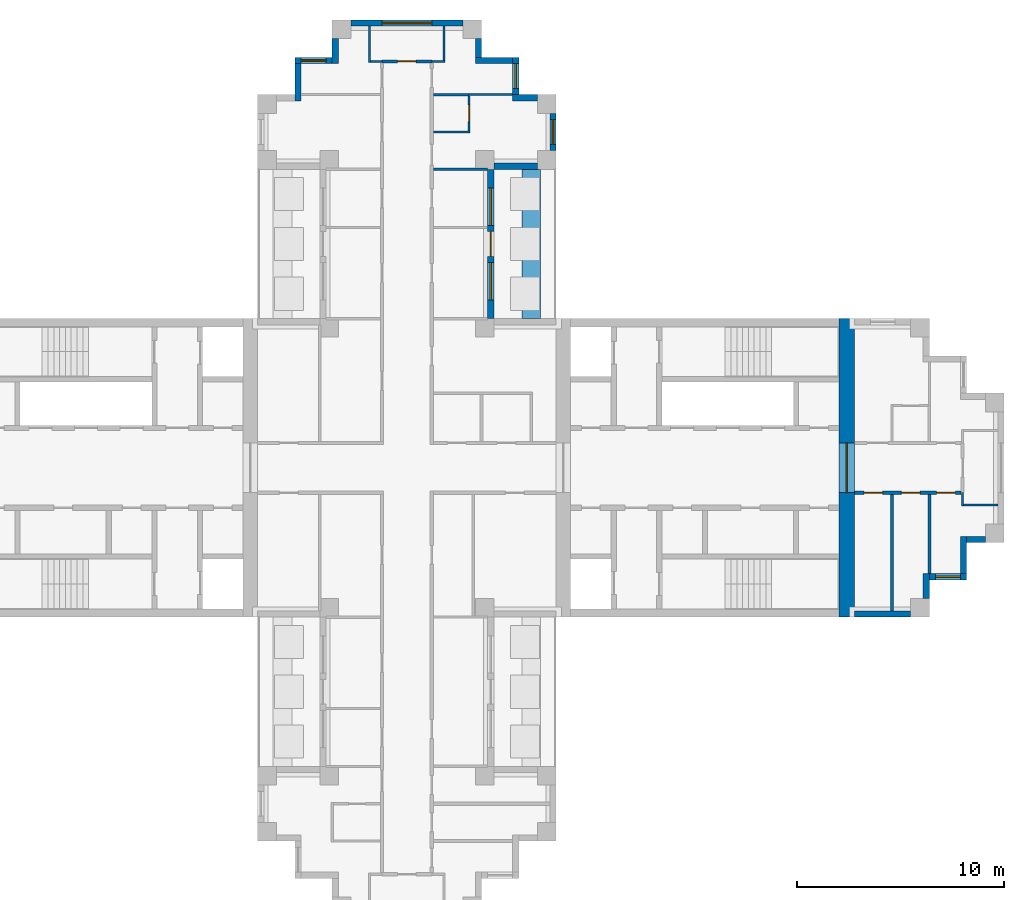
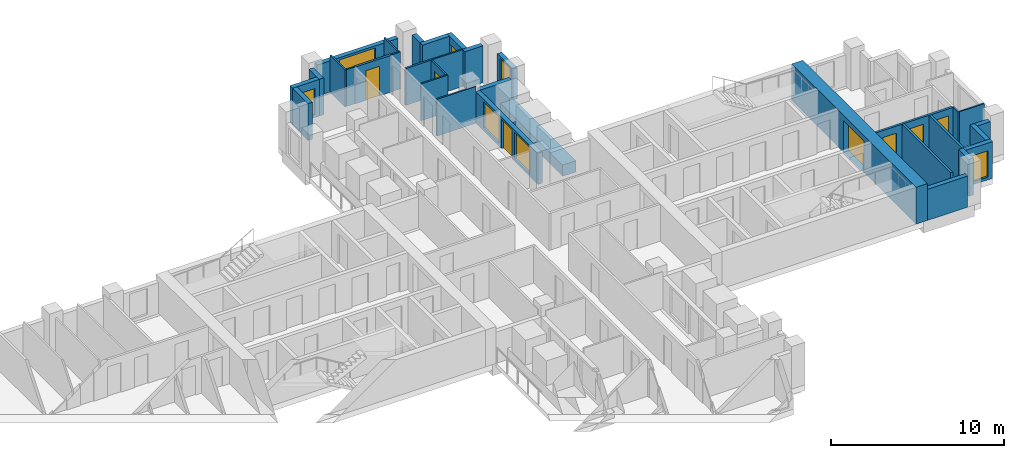
# One storey, part 7 of 10: 33 walls, 7 doors, 7 windows, 14 openings.
"""IFC4 building model written with IfcOpenShell, lengths in metres."""

from ifc_helpers import new_model, si_unit, direction, frame, frame_2d, origin, place, context, subcontext, project, spatial, rectangle, extrude, material, layer, layer_set, type_object, element, fill, save


model = new_model("IFC4")

# Units and contexts
model_context = context("Model", 3, precision=1e-05, world=origin(), true_north=direction((0.0, 1.0)))
body_context = subcontext(model_context, "Body", "Model", "MODEL_VIEW")
ifc_project = project(units=[si_unit("LENGTHUNIT", "METRE"), si_unit("AREAUNIT", "SQUARE_METRE"), si_unit("VOLUMEUNIT", "CUBIC_METRE"), si_unit("PLANEANGLEUNIT", "RADIAN"), si_unit("MASSUNIT", "GRAM", prefix="KILO")], contexts=[model_context])

# Site, building, storey
site_placement = place(None, origin())
site = spatial("IfcSite", under=ifc_project, at=site_placement, CompositionType="ELEMENT")
building_placement = place(site_placement, origin())
building = spatial("IfcBuilding", under=site, at=building_placement, Name="Fustian Cross Tower", CompositionType="ELEMENT")
storey_placement = place(building_placement, frame((0.0, 0.0, 182.699951171875)))
storey = spatial("IfcBuildingStorey", under=building, at=storey_placement, Name="L57", CompositionType="ELEMENT", Elevation=182.699951171875)

# Wall, opening, door
ifc_material_1 = material(Name="Plasterboard on steel stud", Category="steel")
ifc_layer_1 = layer(ifc_material_1, 0.14990234375)
ifc_layer_set_1 = layer_set([ifc_layer_1], Name="Plasterboard on steel stud")
wall_type_1 = type_object("IfcWallType", Name="COMPARTMENT WALL 150 EI 60", PredefinedType="PARTITIONING", material=ifc_layer_set_1)
wall_1_placement = place(storey_placement, frame((-1.199951171875, 19.60009765625, 0.0), z_axis=(0.0, 0.0, 1.0), x_axis=(1.0, 0.0, 0.0)))
wall_1 = element("IfcWall", 1, at=wall_1_placement, inside=storey, type_object=wall_type_1, Name="Partition 34", PredefinedType="PARTITIONING", context=body_context, shape_type="SweptSolid", body=[
    extrude(rectangle(XDim=2.39990234375, YDim=0.14990234375, at=frame_2d((1.199951171875, 0.0))), origin(), (0.0, 0.0, 1.0), 2.60009765625),
])
opening_1_placement = place(wall_1_placement, frame((0.75, 0.0, 0.0)))
opening_1 = element("IfcOpeningElement", 2, at=opening_1_placement, cuts=wall_1, Name="Opening D26017", PredefinedType="OPENING", context=body_context, shape_type="SweptSolid", body=[
    extrude(rectangle(XDim=0.89990234375, YDim=2.10009765625, at=frame_2d((0.449951171875, 1.050048828125))), frame((0.0, 0.0849609375, 0.0), z_axis=(0.0, -1.0, 0.0), x_axis=(1.0, 0.0, 0.0)), (0.0, 0.0, 1.0), 0.169921875),
])
ifc_material_2 = material(Name="Timber fire door set", Category="wood")
door_type_1 = type_object("IfcDoorType", Name="FIRE SWING DOOR 900 FD30S", OperationType="SINGLE_SWING_LEFT", PredefinedType="DOOR", material=ifc_material_2)
door_1_placement = place(opening_1_placement, origin())
door_1 = element("IfcDoor", 3, at=door_1_placement, inside=storey, type_object=door_type_1, Name="Door D26017", OperationType="SINGLE_SWING_LEFT", OverallHeight=2.10009765625, OverallWidth=0.89990234375, PredefinedType="DOOR", context=body_context, shape_type="SweptSolid", body=[
    extrude(rectangle(XDim=0.89990234375, YDim=2.10009765625, at=frame_2d((0.449951171875, 1.050048828125))), frame((0.0, 0.02490234375, 0.0), z_axis=(0.0, -1.0, 0.0), x_axis=(1.0, 0.0, 0.0)), (0.0, 0.0, 1.0), 0.050048828125),
])
fill(opening_1, door_1)

# Wall, openings, doors
wall_2_placement = place(storey_placement, frame((21.60009765625, -1.199951171875, 0.0), z_axis=(0.0, 0.0, 1.0), x_axis=(1.0, 0.0, 0.0)))
wall_2 = element("IfcWall", 4, at=wall_2_placement, inside=storey, type_object=wall_type_1, Name="Partition 58", PredefinedType="PARTITIONING", context=body_context, shape_type="SweptSolid", body=[
    extrude(rectangle(XDim=5.125, YDim=0.14990234375, at=frame_2d((2.5625, 0.0))), origin(), (0.0, 0.0, 1.0), 2.60009765625),
])
opening_2_placement = place(wall_2_placement, frame((0.449951171875, 0.0, 0.0)))
opening_2 = element("IfcOpeningElement", 5, at=opening_2_placement, cuts=wall_2, Name="Opening D26014", PredefinedType="OPENING", context=body_context, shape_type="SweptSolid", body=[
    extrude(rectangle(XDim=0.89990234375, YDim=2.10009765625, at=frame_2d((0.449951171875, 1.050048828125))), frame((0.0, 0.0849609375, 0.0), z_axis=(0.0, -1.0, 0.0), x_axis=(1.0, 0.0, 0.0)), (0.0, 0.0, 1.0), 0.169921875),
])
opening_3_placement = place(wall_2_placement, frame((2.25, 0.0, 0.0)))
opening_3 = element("IfcOpeningElement", 6, at=opening_3_placement, cuts=wall_2, Name="Opening D26015", PredefinedType="OPENING", context=body_context, shape_type="SweptSolid", body=[
    extrude(rectangle(XDim=0.89990234375, YDim=2.10009765625, at=frame_2d((0.449951171875, 1.050048828125))), frame((0.0, 0.0849609375, 0.0), z_axis=(0.0, -1.0, 0.0), x_axis=(1.0, 0.0, 0.0)), (0.0, 0.0, 1.0), 0.169921875),
])
opening_4_placement = place(wall_2_placement, frame((3.949951171875, 0.0, 0.0)))
opening_4 = element("IfcOpeningElement", 7, at=opening_4_placement, cuts=wall_2, Name="Opening D26016", PredefinedType="OPENING", context=body_context, shape_type="SweptSolid", body=[
    extrude(rectangle(XDim=0.89990234375, YDim=2.10009765625, at=frame_2d((0.449951171875, 1.050048828125))), frame((0.0, 0.0849609375, 0.0), z_axis=(0.0, -1.0, 0.0), x_axis=(1.0, 0.0, 0.0)), (0.0, 0.0, 1.0), 0.169921875),
])
door_2_placement = place(opening_2_placement, frame((0.89990234375, 0.0, 0.0), z_axis=(0.0, 0.0, 1.0), x_axis=(-1.0, 0.0, 0.0)))
door_2 = element("IfcDoor", 8, at=door_2_placement, inside=storey, type_object=door_type_1, Name="Door D26014", OperationType="SINGLE_SWING_LEFT", OverallHeight=2.10009765625, OverallWidth=0.89990234375, PredefinedType="DOOR", context=body_context, shape_type="SweptSolid", body=[
    extrude(rectangle(XDim=0.89990234375, YDim=2.10009765625, at=frame_2d((0.449951171875, 1.050048828125))), frame((0.0, 0.02490234375, 0.0), z_axis=(0.0, -1.0, 0.0), x_axis=(1.0, 0.0, 0.0)), (0.0, 0.0, 1.0), 0.050048828125),
])
fill(opening_2, door_2)
door_3_placement = place(opening_3_placement, frame((0.89990234375, 0.0, 0.0), z_axis=(0.0, 0.0, 1.0), x_axis=(-1.0, 0.0, 0.0)))
door_3 = element("IfcDoor", 9, at=door_3_placement, inside=storey, type_object=door_type_1, Name="Door D26015", OperationType="SINGLE_SWING_LEFT", OverallHeight=2.10009765625, OverallWidth=0.89990234375, PredefinedType="DOOR", context=body_context, shape_type="SweptSolid", body=[
    extrude(rectangle(XDim=0.89990234375, YDim=2.10009765625, at=frame_2d((0.449951171875, 1.050048828125))), frame((0.0, 0.02490234375, 0.0), z_axis=(0.0, -1.0, 0.0), x_axis=(1.0, 0.0, 0.0)), (0.0, 0.0, 1.0), 0.050048828125),
])
fill(opening_3, door_3)
door_4_placement = place(opening_4_placement, frame((0.89990234375, 0.0, 0.0), z_axis=(0.0, 0.0, 1.0), x_axis=(-1.0, 0.0, 0.0)))
door_4 = element("IfcDoor", 10, at=door_4_placement, inside=storey, type_object=door_type_1, Name="Door D26016", OperationType="SINGLE_SWING_RIGHT", OverallHeight=2.10009765625, OverallWidth=0.89990234375, PredefinedType="DOOR", context=body_context, shape_type="SweptSolid", body=[
    extrude(rectangle(XDim=0.89990234375, YDim=2.10009765625, at=frame_2d((0.449951171875, 1.050048828125))), frame((0.0, 0.02490234375, 0.0), z_axis=(0.0, -1.0, 0.0), x_axis=(1.0, 0.0, 0.0)), (0.0, 0.0, 1.0), 0.050048828125),
])
fill(opening_4, door_4)

# Walls
wall_3_placement = place(storey_placement, frame((23.39990234375, -6.89990234375, 0.0), z_axis=(0.0, 0.0, 1.0), x_axis=(0.0, 1.0, 0.0)))
element("IfcWall", 11, at=wall_3_placement, inside=storey, type_object=wall_type_1, Name="Partition 60", PredefinedType="PARTITIONING", context=body_context, shape_type="SweptSolid", body=[
    extrude(rectangle(XDim=5.625, YDim=0.14990234375, at=frame_2d((2.8125, 0.0))), origin(), (0.0, 0.0, 1.0), 2.60009765625),
])
wall_4_placement = place(storey_placement, frame((25.199951171875, -5.10009765625, 0.0), z_axis=(0.0, 0.0, 1.0), x_axis=(0.0, 1.0, 0.0)))
element("IfcWall", 12, at=wall_4_placement, inside=storey, type_object=wall_type_1, Name="Partition 63", PredefinedType="PARTITIONING", context=body_context, shape_type="SweptSolid", body=[
    extrude(rectangle(XDim=3.8251953125, YDim=0.14990234375, at=frame_2d((1.91259765625, 0.0))), origin(), (0.0, 0.0, 1.0), 2.60009765625),
])

# Wall, opening, door
ifc_material_3 = material(Name="Concrete C50/60", Category="concrete")
ifc_layer_2 = layer(ifc_material_3, 0.75)
ifc_layer_set_2 = layer_set([ifc_layer_2], Name="Concrete C50/60")
wall_type_2 = type_object("IfcWallType", Name="CORE END WALL 750 C50/60", PredefinedType="SHEAR", material=ifc_layer_set_2)
wall_5_placement = place(storey_placement, frame((21.22509765625, -7.199951171875, 0.0), z_axis=(0.0, 0.0, 1.0), x_axis=(0.0, 1.0, 0.0)))
wall_5 = element("IfcWall", 13, at=wall_5_placement, inside=storey, type_object=wall_type_2, Name="Core end wall", PredefinedType="SHEAR", context=body_context, shape_type="SweptSolid", body=[
    extrude(rectangle(XDim=14.39990234375, YDim=0.75, at=frame_2d((7.199951171875, 0.0))), origin(), (0.0, 0.0, 1.0), 2.60009765625),
])
opening_5_placement = place(wall_5_placement, frame((6.0, 0.0, 0.0)))
opening_5 = element("IfcOpeningElement", 14, at=opening_5_placement, cuts=wall_5, Name="Opening CD-23-13", PredefinedType="OPENING", context=body_context, shape_type="SweptSolid", body=[
    extrude(rectangle(XDim=2.39990234375, YDim=2.199951171875, at=frame_2d((1.199951171875, 1.10009765625))), frame((0.0, 0.385009765625, 0.0), z_axis=(0.0, -1.0, 0.0), x_axis=(1.0, 0.0, 0.0)), (0.0, 0.0, 1.0), 0.77001953125),
])
ifc_material_4 = material(Name="Steel", Category="steel")
door_type_2 = type_object("IfcDoorType", Name="FIRE DOOR FD30S DOUBLE 2400X2200", OperationType="DOUBLE_DOOR_DOUBLE_SWING", PredefinedType="DOOR", material=ifc_material_4)
door_5_placement = place(opening_5_placement, origin())
door_5 = element("IfcDoor", 15, at=door_5_placement, inside=storey, type_object=door_type_2, Name="Core door CD-23-13", OperationType="DOUBLE_DOOR_DOUBLE_SWING", OverallHeight=2.199951171875, OverallWidth=2.39990234375, PredefinedType="DOOR", context=body_context, shape_type="SweptSolid", body=[
    extrude(rectangle(XDim=2.39990234375, YDim=2.199951171875, at=frame_2d((1.199951171875, 1.10009765625))), frame((0.0, 0.02490234375, 0.0), z_axis=(0.0, -1.0, 0.0), x_axis=(1.0, 0.0, 0.0)), (0.0, 0.0, 1.0), 0.050048828125),
])
fill(opening_5, door_5)

# Walls
ifc_material_5 = material(Name="Plasterboard on steel stud", Category="steel")
ifc_layer_3 = layer(ifc_material_5, 0.10009765625)
ifc_layer_set_3 = layer_set([ifc_layer_3], Name="Plasterboard on steel stud")
wall_type_3 = type_object("IfcWallType", Name="PARTITION 100 STUD", PredefinedType="PARTITIONING", material=ifc_layer_set_3)
wall_6_placement = place(storey_placement, frame((-1.800048828125, 19.550048828125, 0.0), z_axis=(0.0, 0.0, 1.0), x_axis=(0.0, 1.0, 0.0)))
element("IfcWall", 16, at=wall_6_placement, inside=storey, type_object=wall_type_3, Name="Partition 29", PredefinedType="PARTITIONING", context=body_context, shape_type="SweptSolid", body=[
    extrude(rectangle(XDim=1.75, YDim=0.10009765625, at=frame_2d((0.875, 0.0))), origin(), (0.0, 0.0, 1.0), 2.60009765625),
])
wall_7_placement = place(storey_placement, frame((-1.75, 19.60009765625, 0.0), z_axis=(0.0, 0.0, 1.0), x_axis=(1.0, 0.0, 0.0)))
element("IfcWall", 17, at=wall_7_placement, inside=storey, type_object=wall_type_3, Name="Partition 30", PredefinedType="PARTITIONING", context=body_context, shape_type="SweptSolid", body=[
    extrude(rectangle(XDim=0.550048828125, YDim=0.10009765625, at=frame_2d((0.27490234375, 0.0))), origin(), (0.0, 0.0, 1.0), 2.60009765625),
])
wall_8_placement = place(storey_placement, frame((1.27490234375, 14.39990234375, 0.0), z_axis=(0.0, 0.0, 1.0), x_axis=(1.0, 0.0, 0.0)))
element("IfcWall", 18, at=wall_8_placement, inside=storey, type_object=wall_type_3, Name="Partition 47", PredefinedType="PARTITIONING", context=body_context, shape_type="SweptSolid", body=[
    extrude(rectangle(XDim=2.625, YDim=0.10009765625, at=frame_2d((1.3125, 0.0))), origin(), (0.0, 0.0, 1.0), 2.60009765625),
])
wall_9_placement = place(storey_placement, frame((1.27490234375, 16.199951171875, 0.0), z_axis=(0.0, 0.0, 1.0), x_axis=(1.0, 0.0, 0.0)))
element("IfcWall", 19, at=wall_9_placement, inside=storey, type_object=wall_type_3, Name="Partition 48", PredefinedType="PARTITIONING", context=body_context, shape_type="SweptSolid", body=[
    extrude(rectangle(XDim=1.775146484375, YDim=0.10009765625, at=frame_2d((0.8876953125, 0.0))), origin(), (0.0, 0.0, 1.0), 2.60009765625),
])
wall_10_placement = place(storey_placement, frame((1.199951171875, 19.60009765625, 0.0), z_axis=(0.0, 0.0, 1.0), x_axis=(1.0, 0.0, 0.0)))
element("IfcWall", 20, at=wall_10_placement, inside=storey, type_object=wall_type_3, Name="Partition 50", PredefinedType="PARTITIONING", context=body_context, shape_type="SweptSolid", body=[
    extrude(rectangle(XDim=0.650146484375, YDim=0.10009765625, at=frame_2d((0.3251953125, 0.0))), origin(), (0.0, 0.0, 1.0), 2.60009765625),
])
wall_11_placement = place(storey_placement, frame((1.800048828125, 19.64990234375, 0.0), z_axis=(0.0, 0.0, 1.0), x_axis=(0.0, 1.0, 0.0)))
element("IfcWall", 21, at=wall_11_placement, inside=storey, type_object=wall_type_3, Name="Partition 52", PredefinedType="PARTITIONING", context=body_context, shape_type="SweptSolid", body=[
    extrude(rectangle(XDim=1.650146484375, YDim=0.10009765625, at=frame_2d((0.8251953125, 0.0))), origin(), (0.0, 0.0, 1.0), 2.60009765625),
])

# Wall, opening, door
wall_12_placement = place(storey_placement, frame((3.0, 16.25, 0.0), z_axis=(0.0, 0.0, 1.0), x_axis=(0.0, 1.0, 0.0)))
wall_12 = element("IfcWall", 22, at=wall_12_placement, inside=storey, type_object=wall_type_3, Name="Partition 53", PredefinedType="PARTITIONING", context=body_context, shape_type="SweptSolid", body=[
    extrude(rectangle(XDim=1.6875, YDim=0.10009765625, at=frame_2d((0.84375, 0.0))), origin(), (0.0, 0.0, 1.0), 2.60009765625),
])
opening_6_placement = place(wall_12_placement, frame((0.449951171875, 0.0, 0.0)))
opening_6 = element("IfcOpeningElement", 23, at=opening_6_placement, cuts=wall_12, Name="Opening D26024", PredefinedType="OPENING", context=body_context, shape_type="SweptSolid", body=[
    extrude(rectangle(XDim=0.800048828125, YDim=2.10009765625, at=frame_2d((0.39990234375, 1.050048828125))), frame((0.0, 0.06005859375, 0.0), z_axis=(0.0, -1.0, 0.0), x_axis=(1.0, 0.0, 0.0)), (0.0, 0.0, 1.0), 0.1201171875),
])
ifc_material_6 = material(Name="Painted timber", Category="wood")
door_type_3 = type_object("IfcDoorType", Name="SWING DOOR 800", OperationType="SINGLE_SWING_LEFT", PredefinedType="DOOR", material=ifc_material_6)
door_6_placement = place(opening_6_placement, origin())
door_6 = element("IfcDoor", 24, at=door_6_placement, inside=storey, type_object=door_type_3, Name="Door D26024", OperationType="SINGLE_SWING_RIGHT", OverallHeight=2.10009765625, OverallWidth=0.800048828125, PredefinedType="DOOR", context=body_context, shape_type="SweptSolid", body=[
    extrude(rectangle(XDim=0.800048828125, YDim=2.10009765625, at=frame_2d((0.39990234375, 1.050048828125))), frame((0.0, 0.02490234375, 0.0), z_axis=(0.0, -1.0, 0.0), x_axis=(1.0, 0.0, 0.0)), (0.0, 0.0, 1.0), 0.050048828125),
])
fill(opening_6, door_6)

# Walls
wall_13_placement = place(storey_placement, frame((3.0, 18.0, 0.0), z_axis=(0.0, 0.0, 1.0), x_axis=(1.0, 0.0, 0.0)))
element("IfcWall", 25, at=wall_13_placement, inside=storey, type_object=wall_type_3, Name="Partition 54", PredefinedType="PARTITIONING", context=body_context, shape_type="SweptSolid", body=[
    extrude(rectangle(XDim=2.10009765625, YDim=0.10009765625, at=frame_2d((1.050048828125, 0.0))), origin(), (0.0, 0.0, 1.0), 2.60009765625),
])
wall_14_placement = place(storey_placement, frame((26.800048828125, -1.85009765625, 0.0), z_axis=(0.0, 0.0, 1.0), x_axis=(0.0, 1.0, 0.0)))
element("IfcWall", 26, at=wall_14_placement, inside=storey, type_object=wall_type_3, Name="Partition 66", PredefinedType="PARTITIONING", context=body_context, shape_type="SweptSolid", body=[
    extrude(rectangle(XDim=0.650146484375, YDim=0.10009765625, at=frame_2d((0.3251953125, 0.0))), origin(), (0.0, 0.0, 1.0), 2.60009765625),
])
wall_15_placement = place(storey_placement, frame((26.85009765625, -1.800048828125, 0.0), z_axis=(0.0, 0.0, 1.0), x_axis=(1.0, 0.0, 0.0)))
element("IfcWall", 27, at=wall_15_placement, inside=storey, type_object=wall_type_3, Name="Partition 67", PredefinedType="PARTITIONING", context=body_context, shape_type="SweptSolid", body=[
    extrude(rectangle(XDim=1.64990234375, YDim=0.10009765625, at=frame_2d((0.824951171875, 0.0))), origin(), (0.0, 0.0, 1.0), 2.60009765625),
])
ifc_material_7 = material(Name="Concrete C40/50", Category="concrete")
ifc_layer_4 = layer(ifc_material_7, 0.89990234375)
ifc_layer_set_4 = layer_set([ifc_layer_4], Name="Concrete C40/50")
wall_type_4 = type_object("IfcWallType", Name="PK1 PLANTER 900", PredefinedType="PARAPET", material=ifc_layer_set_4)
wall_16_placement = place(storey_placement, frame((6.0, 7.199951171875, 0.0), z_axis=(0.0, 0.0, 1.0), x_axis=(0.0, 1.0, 0.0)))
element("IfcWall", 28, at=wall_16_placement, inside=storey, type_object=wall_type_4, Name="PLANTER", PredefinedType="PARAPET", context=body_context, shape_type="SweptSolid", body=[
    extrude(rectangle(XDim=7.199951171875, YDim=0.89990234375, at=frame_2d((3.60009765625, 0.0))), origin(), (0.0, 0.0, 1.0), 0.800048828125),
])
ifc_material_8 = material(Name="Plasterboard on steel stud", Category="steel")
ifc_layer_5 = layer(ifc_material_8, 0.125)
ifc_layer_set_5 = layer_set([ifc_layer_5], Name="Plasterboard on steel stud")
wall_type_5 = type_object("IfcWallType", Name="WET WALL 125 STUD", PredefinedType="PARTITIONING", material=ifc_layer_set_5)
wall_17_placement = place(storey_placement, frame((1.27490234375, 18.0, 0.0), z_axis=(0.0, 0.0, 1.0), x_axis=(1.0, 0.0, 0.0)))
element("IfcWall", 29, at=wall_17_placement, inside=storey, type_object=wall_type_5, Name="Partition 49", PredefinedType="PARTITIONING", context=body_context, shape_type="SweptSolid", body=[
    extrude(rectangle(XDim=1.72509765625, YDim=0.125, at=frame_2d((0.862548828125, 0.0))), origin(), (0.0, 0.0, 1.0), 2.60009765625),
])
ifc_material_9 = material(Name="Dark aluminium cladding on insulated backing wall", Category="aluminium")
ifc_layer_6 = layer(ifc_material_9, 0.300048828125)
ifc_layer_set_6 = layer_set([ifc_layer_6], Name="Dark aluminium cladding on insulated backing wall")
wall_type_6 = type_object("IfcWallType", Name="XW1 EXTERNAL WALL 300", PredefinedType="SOLIDWALL", material=ifc_layer_set_6)
wall_18_placement = place(storey_placement, frame((21.60009765625, -7.050048828125, 0.0), z_axis=(0.0, 0.0, 1.0), x_axis=(1.0, 0.0, 0.0)))
element("IfcWall", 30, at=wall_18_placement, inside=storey, type_object=wall_type_6, Name="External wall", PredefinedType="SOLIDWALL", context=body_context, shape_type="SweptSolid", body=[
    extrude(rectangle(XDim=2.699951171875, YDim=0.300048828125, at=frame_2d((1.35009765625, 0.0))), origin(), (0.0, 0.0, 1.0), 2.199951171875),
])
wall_19_placement = place(storey_placement, frame((25.050048828125, -6.300048828125, 0.0), z_axis=(0.0, 0.0, 1.0), x_axis=(0.0, 1.0, 0.0)))
element("IfcWall", 31, at=wall_19_placement, inside=storey, type_object=wall_type_6, Name="External wall", PredefinedType="SOLIDWALL", context=body_context, shape_type="SweptSolid", body=[
    extrude(rectangle(XDim=1.199951171875, YDim=0.300048828125, at=frame_2d((0.60009765625, 0.0))), origin(), (0.0, 0.0, 1.0), 2.60009765625),
])

# Wall, opening, window
wall_20_placement = place(storey_placement, frame((25.199951171875, -5.25, 0.0), z_axis=(0.0, 0.0, 1.0), x_axis=(1.0, 0.0, 0.0)))
wall_20 = element("IfcWall", 32, at=wall_20_placement, inside=storey, type_object=wall_type_6, Name="External wall", PredefinedType="SOLIDWALL", context=body_context, shape_type="SweptSolid", body=[
    extrude(rectangle(XDim=1.800048828125, YDim=0.300048828125, at=frame_2d((0.89990234375, 0.0))), origin(), (0.0, 0.0, 1.0), 2.60009765625),
])
opening_7_placement = place(wall_20_placement, frame((0.300048828125, 0.0, 0.199951171875)))
opening_7 = element("IfcOpeningElement", 33, at=opening_7_placement, cuts=wall_20, Name="Opening WN3", PredefinedType="OPENING", context=body_context, shape_type="SweptSolid", body=[
    extrude(rectangle(XDim=1.199951171875, YDim=1.85009765625, at=frame_2d((0.60009765625, 0.925048828125))), frame((0.0, 0.159912109375, 0.0), z_axis=(0.0, -1.0, 0.0), x_axis=(1.0, 0.0, 0.0)), (0.0, 0.0, 1.0), 0.320068359375),
])
ifc_material_10 = material(Name="Dark anodised aluminium and double glazing", Category="aluminium")
window_type_1 = type_object("IfcWindowType", Name="WN3 WINDOW 1200X1850", PartitioningType="SINGLE_PANEL", PredefinedType="WINDOW", material=ifc_material_10)
window_1_placement = place(opening_7_placement, origin())
window_1 = element("IfcWindow", 34, at=window_1_placement, inside=storey, type_object=window_type_1, Name="Window", OverallHeight=1.85009765625, OverallWidth=1.199951171875, PartitioningType="SINGLE_PANEL", PredefinedType="WINDOW", context=body_context, shape_type="SweptSolid", body=[
    extrude(rectangle(XDim=1.199951171875, YDim=1.85009765625, at=frame_2d((0.60009765625, 0.925048828125))), frame((0.0, 0.030029296875, 0.0), z_axis=(0.0, -1.0, 0.0), x_axis=(1.0, 0.0, 0.0)), (0.0, 0.0, 1.0), 0.06005859375),
])
fill(opening_7, window_1)

# Walls
wall_21_placement = place(storey_placement, frame((26.85009765625, -5.10009765625, 0.0), z_axis=(0.0, 0.0, 1.0), x_axis=(0.0, 1.0, 0.0)))
element("IfcWall", 35, at=wall_21_placement, inside=storey, type_object=wall_type_6, Name="External wall", PredefinedType="SOLIDWALL", context=body_context, shape_type="SweptSolid", body=[
    extrude(rectangle(XDim=1.800048828125, YDim=0.300048828125, at=frame_2d((0.89990234375, 0.0))), origin(), (0.0, 0.0, 1.0), 2.60009765625),
])
wall_22_placement = place(storey_placement, frame((27.0, -3.449951171875, 0.0), z_axis=(0.0, 0.0, 1.0), x_axis=(1.0, 0.0, 0.0)))
element("IfcWall", 36, at=wall_22_placement, inside=storey, type_object=wall_type_6, Name="External wall", PredefinedType="SOLIDWALL", context=body_context, shape_type="SweptSolid", body=[
    extrude(rectangle(XDim=0.89990234375, YDim=0.300048828125, at=frame_2d((0.449951171875, 0.0))), origin(), (0.0, 0.0, 1.0), 2.60009765625),
])

# Wall, openings, door, windows
wall_23_placement = place(storey_placement, frame((4.050048828125, 7.199951171875, 0.0), z_axis=(0.0, 0.0, 1.0), x_axis=(0.0, 1.0, 0.0)))
wall_23 = element("IfcWall", 37, at=wall_23_placement, inside=storey, type_object=wall_type_6, Name="External wall", PredefinedType="SOLIDWALL", context=body_context, shape_type="SweptSolid", body=[
    extrude(rectangle(XDim=7.199951171875, YDim=0.300048828125, at=frame_2d((3.60009765625, 0.0))), origin(), (0.0, 0.0, 1.0), 2.199951171875),
])
opening_8_placement = place(wall_23_placement, frame((3.0, 0.0, 0.0)))
opening_8 = element("IfcOpeningElement", 38, at=opening_8_placement, cuts=wall_23, Name="Opening XD1", PredefinedType="OPENING", context=body_context, shape_type="SweptSolid", body=[
    extrude(rectangle(XDim=1.199951171875, YDim=2.050048828125, at=frame_2d((0.60009765625, 1.02490234375))), frame((0.0, 0.159912109375, 0.0), z_axis=(0.0, -1.0, 0.0), x_axis=(1.0, 0.0, 0.0)), (0.0, 0.0, 1.0), 0.320068359375),
])
opening_9_placement = place(wall_23_placement, frame((0.89990234375, 0.0, 0.199951171875)))
opening_9 = element("IfcOpeningElement", 39, at=opening_9_placement, cuts=wall_23, Name="Opening WN2", PredefinedType="OPENING", context=body_context, shape_type="SweptSolid", body=[
    extrude(rectangle(XDim=1.800048828125, YDim=1.85009765625, at=frame_2d((0.89990234375, 0.925048828125))), frame((0.0, 0.159912109375, 0.0), z_axis=(0.0, -1.0, 0.0), x_axis=(1.0, 0.0, 0.0)), (0.0, 0.0, 1.0), 0.320068359375),
])
opening_10_placement = place(wall_23_placement, frame((4.5, 0.0, 0.199951171875)))
opening_10 = element("IfcOpeningElement", 40, at=opening_10_placement, cuts=wall_23, Name="Opening WN2", PredefinedType="OPENING", context=body_context, shape_type="SweptSolid", body=[
    extrude(rectangle(XDim=1.800048828125, YDim=1.85009765625, at=frame_2d((0.89990234375, 0.925048828125))), frame((0.0, 0.159912109375, 0.0), z_axis=(0.0, -1.0, 0.0), x_axis=(1.0, 0.0, 0.0)), (0.0, 0.0, 1.0), 0.320068359375),
])
ifc_material_11 = material(Name="Dark anodised aluminium and double glazing", Category="aluminium")
door_type_4 = type_object("IfcDoorType", Name="ED1 BALCONY DOOR 1200X2050", OperationType="SINGLE_SWING_LEFT", PredefinedType="DOOR", material=ifc_material_11)
door_7_placement = place(opening_8_placement, origin())
door_7 = element("IfcDoor", 41, at=door_7_placement, inside=storey, type_object=door_type_4, Name="Balcony door", OperationType="SINGLE_SWING_LEFT", OverallHeight=2.050048828125, OverallWidth=1.199951171875, PredefinedType="DOOR", context=body_context, shape_type="SweptSolid", body=[
    extrude(rectangle(XDim=1.199951171875, YDim=2.050048828125, at=frame_2d((0.60009765625, 1.02490234375))), frame((0.0, 0.02490234375, 0.0), z_axis=(0.0, -1.0, 0.0), x_axis=(1.0, 0.0, 0.0)), (0.0, 0.0, 1.0), 0.050048828125),
])
fill(opening_8, door_7)
ifc_material_12 = material(Name="Dark anodised aluminium and double glazing", Category="aluminium")
window_type_2 = type_object("IfcWindowType", Name="WN2 WINDOW 1800X1850", PartitioningType="SINGLE_PANEL", PredefinedType="WINDOW", material=ifc_material_12)
window_2_placement = place(opening_9_placement, origin())
window_2 = element("IfcWindow", 42, at=window_2_placement, inside=storey, type_object=window_type_2, Name="Window", OverallHeight=1.85009765625, OverallWidth=1.800048828125, PartitioningType="SINGLE_PANEL", PredefinedType="WINDOW", context=body_context, shape_type="SweptSolid", body=[
    extrude(rectangle(XDim=1.800048828125, YDim=1.85009765625, at=frame_2d((0.89990234375, 0.925048828125))), frame((0.0, 0.030029296875, 0.0), z_axis=(0.0, -1.0, 0.0), x_axis=(1.0, 0.0, 0.0)), (0.0, 0.0, 1.0), 0.06005859375),
])
fill(opening_9, window_2)
window_3_placement = place(opening_10_placement, origin())
window_3 = element("IfcWindow", 43, at=window_3_placement, inside=storey, type_object=window_type_2, Name="Window", OverallHeight=1.85009765625, OverallWidth=1.800048828125, PartitioningType="SINGLE_PANEL", PredefinedType="WINDOW", context=body_context, shape_type="SweptSolid", body=[
    extrude(rectangle(XDim=1.800048828125, YDim=1.85009765625, at=frame_2d((0.89990234375, 0.925048828125))), frame((0.0, 0.030029296875, 0.0), z_axis=(0.0, -1.0, 0.0), x_axis=(1.0, 0.0, 0.0)), (0.0, 0.0, 1.0), 0.06005859375),
])
fill(opening_10, window_3)

# Wall
wall_24_placement = place(storey_placement, frame((4.199951171875, 14.550048828125, 0.0), z_axis=(0.0, 0.0, 1.0), x_axis=(1.0, 0.0, 0.0)))
element("IfcWall", 44, at=wall_24_placement, inside=storey, type_object=wall_type_6, Name="External wall", PredefinedType="SOLIDWALL", context=body_context, shape_type="SweptSolid", body=[
    extrude(rectangle(XDim=2.10009765625, YDim=0.300048828125, at=frame_2d((1.050048828125, 0.0))), origin(), (0.0, 0.0, 1.0), 2.199951171875),
])

# Wall, opening, window
wall_25_placement = place(storey_placement, frame((7.050048828125, 15.300048828125, 0.0), z_axis=(0.0, 0.0, 1.0), x_axis=(0.0, 1.0, 0.0)))
wall_25 = element("IfcWall", 45, at=wall_25_placement, inside=storey, type_object=wall_type_6, Name="External wall", PredefinedType="SOLIDWALL", context=body_context, shape_type="SweptSolid", body=[
    extrude(rectangle(XDim=1.800048828125, YDim=0.300048828125, at=frame_2d((0.89990234375, 0.0))), origin(), (0.0, 0.0, 1.0), 2.199951171875),
])
opening_11_placement = place(wall_25_placement, frame((0.300048828125, 0.0, 0.199951171875)))
opening_11 = element("IfcOpeningElement", 46, at=opening_11_placement, cuts=wall_25, Name="Opening WN3", PredefinedType="OPENING", context=body_context, shape_type="SweptSolid", body=[
    extrude(rectangle(XDim=1.199951171875, YDim=1.85009765625, at=frame_2d((0.60009765625, 0.925048828125))), frame((0.0, 0.159912109375, 0.0), z_axis=(0.0, -1.0, 0.0), x_axis=(1.0, 0.0, 0.0)), (0.0, 0.0, 1.0), 0.320068359375),
])
window_4_placement = place(opening_11_placement, origin())
window_4 = element("IfcWindow", 47, at=window_4_placement, inside=storey, type_object=window_type_1, Name="Window", OverallHeight=1.85009765625, OverallWidth=1.199951171875, PartitioningType="SINGLE_PANEL", PredefinedType="WINDOW", context=body_context, shape_type="SweptSolid", body=[
    extrude(rectangle(XDim=1.199951171875, YDim=1.85009765625, at=frame_2d((0.60009765625, 0.925048828125))), frame((0.0, 0.030029296875, 0.0), z_axis=(0.0, -1.0, 0.0), x_axis=(1.0, 0.0, 0.0)), (0.0, 0.0, 1.0), 0.06005859375),
])
fill(opening_11, window_4)

# Wall
wall_26_placement = place(storey_placement, frame((6.300048828125, 17.85009765625, 0.0), z_axis=(0.0, 0.0, 1.0), x_axis=(-1.0, 0.0, 0.0)))
element("IfcWall", 48, at=wall_26_placement, inside=storey, type_object=wall_type_6, Name="External wall", PredefinedType="SOLIDWALL", context=body_context, shape_type="SweptSolid", body=[
    extrude(rectangle(XDim=1.199951171875, YDim=0.300048828125, at=frame_2d((0.60009765625, 0.0))), origin(), (0.0, 0.0, 1.0), 2.60009765625),
])

# Wall, opening, window
wall_27_placement = place(storey_placement, frame((5.25, 18.0, 0.0), z_axis=(0.0, 0.0, 1.0), x_axis=(0.0, 1.0, 0.0)))
wall_27 = element("IfcWall", 49, at=wall_27_placement, inside=storey, type_object=wall_type_6, Name="External wall", PredefinedType="SOLIDWALL", context=body_context, shape_type="SweptSolid", body=[
    extrude(rectangle(XDim=1.800048828125, YDim=0.300048828125, at=frame_2d((0.89990234375, 0.0))), origin(), (0.0, 0.0, 1.0), 2.60009765625),
])
opening_12_placement = place(wall_27_placement, frame((0.300048828125, 0.0, 0.199951171875)))
opening_12 = element("IfcOpeningElement", 50, at=opening_12_placement, cuts=wall_27, Name="Opening WN3", PredefinedType="OPENING", context=body_context, shape_type="SweptSolid", body=[
    extrude(rectangle(XDim=1.199951171875, YDim=1.85009765625, at=frame_2d((0.60009765625, 0.925048828125))), frame((0.0, 0.159912109375, 0.0), z_axis=(0.0, -1.0, 0.0), x_axis=(1.0, 0.0, 0.0)), (0.0, 0.0, 1.0), 0.320068359375),
])
window_5_placement = place(opening_12_placement, origin())
window_5 = element("IfcWindow", 51, at=window_5_placement, inside=storey, type_object=window_type_1, Name="Window", OverallHeight=1.85009765625, OverallWidth=1.199951171875, PartitioningType="SINGLE_PANEL", PredefinedType="WINDOW", context=body_context, shape_type="SweptSolid", body=[
    extrude(rectangle(XDim=1.199951171875, YDim=1.85009765625, at=frame_2d((0.60009765625, 0.925048828125))), frame((0.0, 0.030029296875, 0.0), z_axis=(0.0, -1.0, 0.0), x_axis=(1.0, 0.0, 0.0)), (0.0, 0.0, 1.0), 0.06005859375),
])
fill(opening_12, window_5)

# Walls
wall_28_placement = place(storey_placement, frame((5.10009765625, 19.64990234375, 0.0), z_axis=(0.0, 0.0, 1.0), x_axis=(-1.0, 0.0, 0.0)))
element("IfcWall", 52, at=wall_28_placement, inside=storey, type_object=wall_type_6, Name="External wall", PredefinedType="SOLIDWALL", context=body_context, shape_type="SweptSolid", body=[
    extrude(rectangle(XDim=1.800048828125, YDim=0.300048828125, at=frame_2d((0.89990234375, 0.0))), origin(), (0.0, 0.0, 1.0), 2.60009765625),
])
wall_29_placement = place(storey_placement, frame((3.449951171875, 19.800048828125, 0.0), z_axis=(0.0, 0.0, 1.0), x_axis=(0.0, 1.0, 0.0)))
element("IfcWall", 53, at=wall_29_placement, inside=storey, type_object=wall_type_6, Name="External wall", PredefinedType="SOLIDWALL", context=body_context, shape_type="SweptSolid", body=[
    extrude(rectangle(XDim=0.89990234375, YDim=0.300048828125, at=frame_2d((0.449951171875, 0.0))), origin(), (0.0, 0.0, 1.0), 2.60009765625),
])

# Wall, opening, window
wall_30_placement = place(storey_placement, frame((2.699951171875, 21.449951171875, 0.0), z_axis=(0.0, 0.0, 1.0), x_axis=(-1.0, 0.0, 0.0)))
wall_30 = element("IfcWall", 54, at=wall_30_placement, inside=storey, type_object=wall_type_6, Name="External wall", PredefinedType="SOLIDWALL", context=body_context, shape_type="SweptSolid", body=[
    extrude(rectangle(XDim=5.39990234375, YDim=0.300048828125, at=frame_2d((2.699951171875, 0.0))), origin(), (0.0, 0.0, 1.0), 2.199951171875),
])
opening_13_placement = place(wall_30_placement, frame((1.5, 0.0, 0.199951171875)))
opening_13 = element("IfcOpeningElement", 55, at=opening_13_placement, cuts=wall_30, Name="Opening WN1", PredefinedType="OPENING", context=body_context, shape_type="SweptSolid", body=[
    extrude(rectangle(XDim=2.39990234375, YDim=1.85009765625, at=frame_2d((1.199951171875, 0.925048828125))), frame((0.0, 0.159912109375, 0.0), z_axis=(0.0, -1.0, 0.0), x_axis=(1.0, 0.0, 0.0)), (0.0, 0.0, 1.0), 0.320068359375),
])
ifc_material_13 = material(Name="Dark anodised aluminium and double glazing", Category="aluminium")
window_type_3 = type_object("IfcWindowType", Name="WN1 WINDOW 2400X1850", PartitioningType="SINGLE_PANEL", PredefinedType="WINDOW", material=ifc_material_13)
window_6_placement = place(opening_13_placement, origin())
window_6 = element("IfcWindow", 56, at=window_6_placement, inside=storey, type_object=window_type_3, Name="Window", OverallHeight=1.85009765625, OverallWidth=2.39990234375, PartitioningType="SINGLE_PANEL", PredefinedType="WINDOW", context=body_context, shape_type="SweptSolid", body=[
    extrude(rectangle(XDim=2.39990234375, YDim=1.85009765625, at=frame_2d((1.199951171875, 0.925048828125))), frame((0.0, 0.030029296875, 0.0), z_axis=(0.0, -1.0, 0.0), x_axis=(1.0, 0.0, 0.0)), (0.0, 0.0, 1.0), 0.06005859375),
])
fill(opening_13, window_6)

# Wall
wall_31_placement = place(storey_placement, frame((-3.449951171875, 20.699951171875, 0.0), z_axis=(0.0, 0.0, 1.0), x_axis=(0.0, -1.0, 0.0)))
element("IfcWall", 57, at=wall_31_placement, inside=storey, type_object=wall_type_6, Name="External wall", PredefinedType="SOLIDWALL", context=body_context, shape_type="SweptSolid", body=[
    extrude(rectangle(XDim=1.199951171875, YDim=0.300048828125, at=frame_2d((0.60009765625, 0.0))), origin(), (0.0, 0.0, 1.0), 2.60009765625),
])

# Wall, opening, window
wall_32_placement = place(storey_placement, frame((-3.60009765625, 19.64990234375, 0.0), z_axis=(0.0, 0.0, 1.0), x_axis=(-1.0, 0.0, 0.0)))
wall_32 = element("IfcWall", 58, at=wall_32_placement, inside=storey, type_object=wall_type_6, Name="External wall", PredefinedType="SOLIDWALL", context=body_context, shape_type="SweptSolid", body=[
    extrude(rectangle(XDim=1.7998046875, YDim=0.300048828125, at=frame_2d((0.89990234375, 0.0))), origin(), (0.0, 0.0, 1.0), 2.60009765625),
])
opening_14_placement = place(wall_32_placement, frame((0.300048828125, 0.0, 0.199951171875)))
opening_14 = element("IfcOpeningElement", 59, at=opening_14_placement, cuts=wall_32, Name="Opening WN3", PredefinedType="OPENING", context=body_context, shape_type="SweptSolid", body=[
    extrude(rectangle(XDim=1.199951171875, YDim=1.85009765625, at=frame_2d((0.60009765625, 0.925048828125))), frame((0.0, 0.159912109375, 0.0), z_axis=(0.0, -1.0, 0.0), x_axis=(1.0, 0.0, 0.0)), (0.0, 0.0, 1.0), 0.320068359375),
])
window_7_placement = place(opening_14_placement, origin())
window_7 = element("IfcWindow", 60, at=window_7_placement, inside=storey, type_object=window_type_1, Name="Window", OverallHeight=1.85009765625, OverallWidth=1.199951171875, PartitioningType="SINGLE_PANEL", PredefinedType="WINDOW", context=body_context, shape_type="SweptSolid", body=[
    extrude(rectangle(XDim=1.199951171875, YDim=1.85009765625, at=frame_2d((0.60009765625, 0.925048828125))), frame((0.0, 0.030029296875, 0.0), z_axis=(0.0, -1.0, 0.0), x_axis=(1.0, 0.0, 0.0)), (0.0, 0.0, 1.0), 0.06005859375),
])
fill(opening_14, window_7)

# Wall
wall_33_placement = place(storey_placement, frame((-5.25, 19.5, 0.0), z_axis=(0.0, 0.0, 1.0), x_axis=(0.0, -1.0, 0.0)))
element("IfcWall", 61, at=wall_33_placement, inside=storey, type_object=wall_type_6, Name="External wall", PredefinedType="SOLIDWALL", context=body_context, shape_type="SweptSolid", body=[
    extrude(rectangle(XDim=1.800048828125, YDim=0.300048828125, at=frame_2d((0.89990234375, 0.0))), origin(), (0.0, 0.0, 1.0), 2.60009765625),
])

save(model, "model.ifc")
